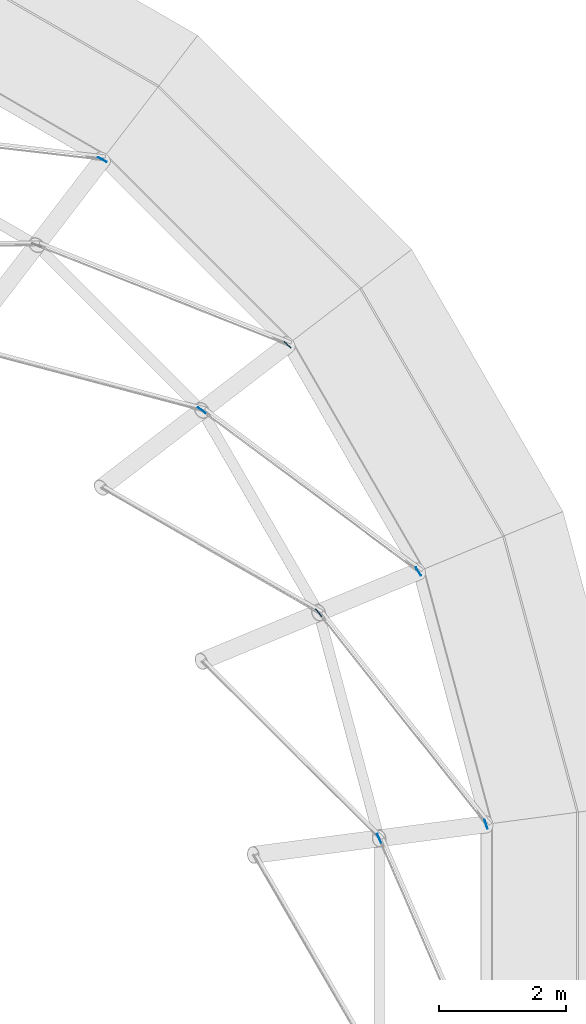
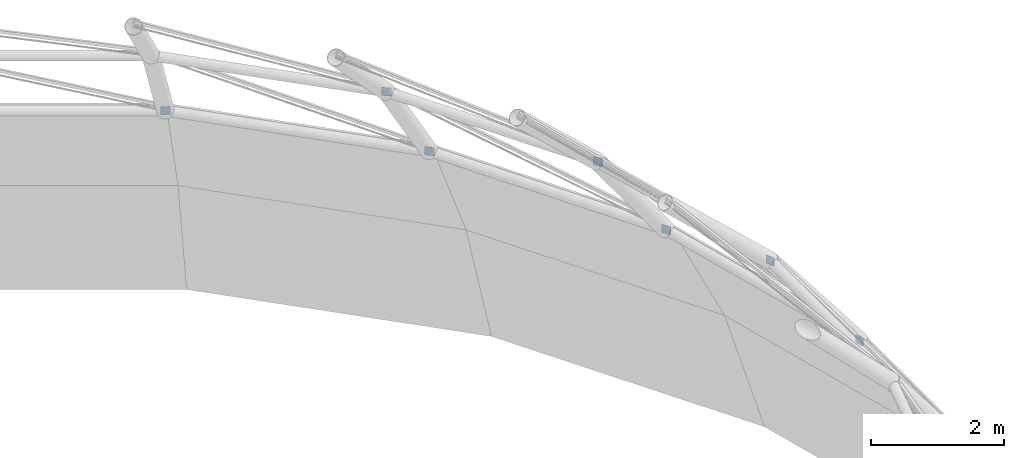
# One storey, part 50 of 62: 7 discrete accessories.
"""IFC4 building model written with IfcOpenShell, lengths in metres."""

from ifc_helpers import new_model, si_unit, direction, frame, origin, origin_2d, place, context, subcontext, project, spatial, rectangle, extrude, material, type_object, element, save


model = new_model("IFC4")

# Units and contexts
model_context = context("Model", 3, precision=1e-05, world=origin(), true_north=direction((0.0, 1.0)))
body_context = subcontext(model_context, "Body", "Model", "MODEL_VIEW")
ifc_project = project(units=[si_unit("LENGTHUNIT", "METRE"), si_unit("AREAUNIT", "SQUARE_METRE"), si_unit("VOLUMEUNIT", "CUBIC_METRE"), si_unit("PLANEANGLEUNIT", "RADIAN"), si_unit("MASSUNIT", "GRAM", prefix="KILO")], contexts=[model_context])

# Site, building, storey
site_placement = place(None, origin())
site = spatial("IfcSite", under=ifc_project, at=site_placement, CompositionType="ELEMENT")
building_placement = place(site_placement, origin())
building = spatial("IfcBuilding", under=site, at=building_placement, Name="Hortulan Conservatory and Botanical Research Centre", CompositionType="ELEMENT")
storey_placement = place(building_placement, frame((0.0, 0.0, 15.0)))
storey = spatial("IfcBuildingStorey", under=building, at=storey_placement, Name="L03", CompositionType="ELEMENT", Elevation=15.0)

# Discrete accessories
ifc_material = material(Name="Steel Grade 300 plate (AS/NZS 3678, 280 MPa minimum yield)", Category="steel")
discrete_accessory_type = type_object("IfcDiscreteAccessoryType", Name="End Plate 150x10", PredefinedType="BRACKET", material=ifc_material)
for number, where, z_axis, x_axis, name in (
    (1, (63.619873046875, 30.536865234375, 0.4404296875), (0.0, 0.0, 1.0), (0.886252090619, -0.463203229558, 0.0), "Dome rod end plate"),
    (2, (65.188232421875, 26.585205078125, 2.636962890625), (0.0, 0.0, 1.0), (0.802317701342, -0.596897232455, 0.0), "Dome rod end plate"),
    (3, (66.536865234375, 27.619873046875, 0.4404296875), (0.0, 0.0, 1.0), (0.736167965369, -0.676798882065, 0.0), "Dome rod end plate"),
    (4, (67.029052734375, 23.396728515625, 2.636962890625), (0.0, 0.0, 1.0), (0.620504703901, -0.784202724069, 0.0), "Dome rod end plate"),
    (5, (67.98193359375, 19.8408203125, 2.636962890625), (0.0, 0.0, 1.0), (0.396394918621, -0.918080099169, 0.0), "Dome rod end plate"),
    (6, (68.599609375, 24.04736328125, 0.4404296875), (0.0, 0.0, 1.0), (0.535929945096, -0.844262455608, 0.0), "Dome rod end plate"),
    (7, (69.667236328125, 20.0625, 0.4404296875), (0.0, 0.0, 1.0), (0.299157372473, -0.95420378667, 0.0), "Dome rod end plate"),
):
    element("IfcDiscreteAccessory", number, at=place(storey_placement, frame(where, z_axis=z_axis, x_axis=x_axis)), inside=storey, type_object=discrete_accessory_type, Name=name, PredefinedType="BRACKET", context=body_context, shape_type="SweptSolid", body=[
        extrude(rectangle(XDim=0.14990234375, YDim=0.010009765625, at=origin_2d()), origin(), (0.0, 0.0, 1.0), 0.14990234375),
    ])

save(model, "model.ifc")
